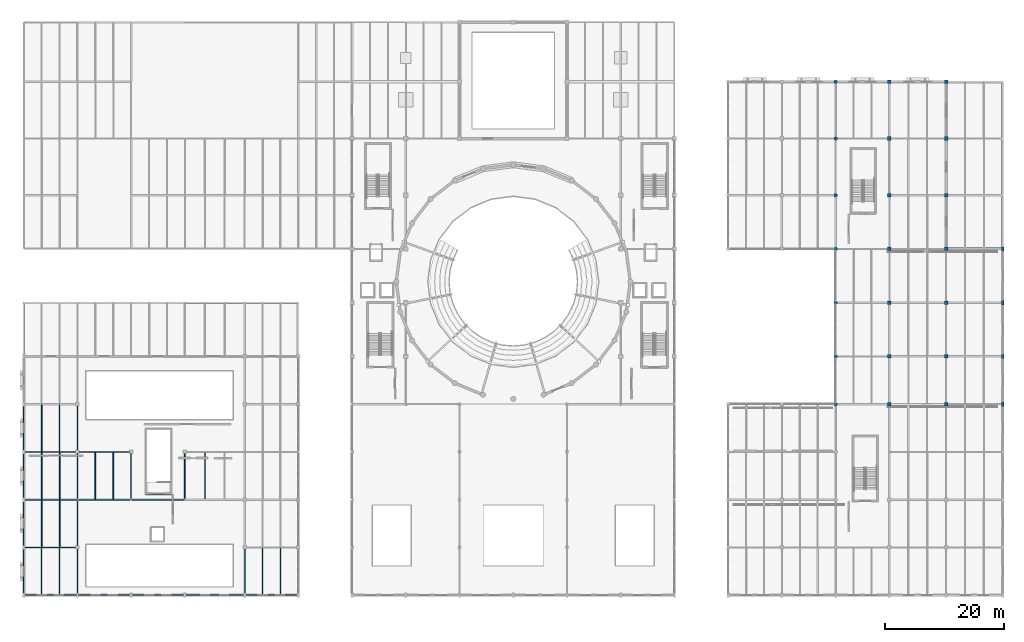
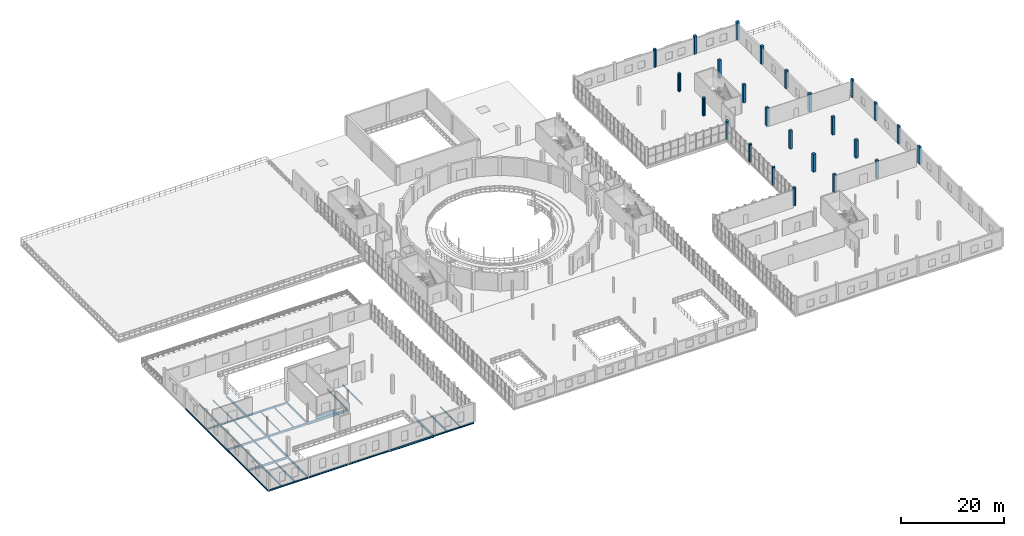
# One storey, part 13 of 73: 36 beams, 25 columns.
"""IFC4 building model written with IfcOpenShell, lengths in metres."""

from ifc_helpers import new_model, si_unit, direction, frame, origin, origin_2d, place, context, subcontext, project, spatial, rectangle, circle, i_section, extrude, material, material_profile, profile_set, type_object, element, save


model = new_model("IFC4")

# Units and contexts
model_context = context("Model", 3, precision=1e-05, world=origin(), true_north=direction((0.0, 1.0)))
body_context = subcontext(model_context, "Body", "Model", "MODEL_VIEW")
ifc_project = project(units=[si_unit("LENGTHUNIT", "METRE"), si_unit("AREAUNIT", "SQUARE_METRE"), si_unit("VOLUMEUNIT", "CUBIC_METRE"), si_unit("PLANEANGLEUNIT", "RADIAN"), si_unit("MASSUNIT", "GRAM", prefix="KILO")], contexts=[model_context])

# Site, building, storey
site_placement = place(None, origin())
site = spatial("IfcSite", under=ifc_project, at=site_placement, CompositionType="ELEMENT")
building_placement = place(site_placement, origin())
building = spatial("IfcBuilding", under=site, at=building_placement, Name="Marnock Terrace Opera House", CompositionType="ELEMENT")
storey_placement = place(building_placement, frame((0.0, 0.0, 14.699951171875)))
storey = spatial("IfcBuildingStorey", under=building, at=storey_placement, Name="L03", CompositionType="ELEMENT", Elevation=14.699951171875)

# Columns
ifc_material_1 = material(Name="Concrete N40 (f'c = 40 MPa)", Category="concrete")
ifc_material_profile_1 = material_profile(ifc_material_1, circle(Radius=0.300048828125, at=origin_2d()))
ifc_profile_set_1 = profile_set([ifc_material_profile_1], Name="Concrete N40 (f'c = 40 MPa)")
column_type_1 = type_object("IfcColumnType", Name="COL-LOGGIA-600", PredefinedType="COLUMN", material=ifc_profile_set_1)
for number, where, z_axis, x_axis, name in (
    (1, (136.0, 40.0, 0.0), (0.0, 0.0, 1.0), (1.0, 0.0, 0.0), "L03 column at (136.0, 40.0)"),
    (2, (136.0, 48.0, 0.0), (0.0, 0.0, 1.0), (1.0, 0.0, 0.0), "L03 column at (136.0, 48.0)"),
    (3, (136.0, 57.0, 0.0), (0.0, 0.0, 1.0), (1.0, 0.0, 0.0), "L03 column at (136.0, 57.0)"),
    (4, (136.0, 66.0, 0.0), (0.0, 0.0, 1.0), (1.0, 0.0, 0.0), "L03 column at (136.0, 66.0)"),
    (5, (136.0, 75.0, 0.0), (0.0, 0.0, 1.0), (1.0, 0.0, 0.0), "L03 column at (136.0, 75.0)"),
    (6, (136.0, 84.5, 0.0), (0.0, 0.0, 1.0), (1.0, 0.0, 0.0), "L03 column at (136.0, 84.5)"),
    (7, (136.0, 94.0, 0.0), (0.0, 0.0, 1.0), (1.0, 0.0, 0.0), "L03 column at (136.0, 94.0)"),
):
    element("IfcColumn", number, at=place(storey_placement, frame(where, z_axis=z_axis, x_axis=x_axis)), inside=storey, type_object=column_type_1, Name=name, PredefinedType="COLUMN", context=body_context, shape_type="SweptSolid", body=[
        extrude(circle(Radius=0.300048828125, at=origin_2d()), origin(), (0.0, 0.0, 1.0), 4.25),
    ])
ifc_material_profile_2 = material_profile(ifc_material_1, rectangle(XDim=0.39990234375, YDim=0.699951171875, at=origin_2d()))
ifc_profile_set_2 = profile_set([ifc_material_profile_2], Name="Concrete N40 (f'c = 40 MPa)")
column_type_2 = type_object("IfcColumnType", Name="COL-PIL-700", PredefinedType="PILASTER", material=ifc_profile_set_2)
for number, where, z_axis, x_axis, name in (
    (8, (164.0, 40.0, 0.0), (0.0, 0.0, 1.0), (1.0, 0.0, 0.0), "L03 column at (164.0, 40.0)"),
    (9, (164.0, 48.0, 0.0), (0.0, 0.0, 1.0), (1.0, 0.0, 0.0), "L03 column at (164.0, 48.0)"),
    (10, (164.0, 57.0, 0.0), (0.0, 0.0, 1.0), (1.0, 0.0, 0.0), "L03 column at (164.0, 57.0)"),
    (11, (164.0, 66.0, 0.0), (0.0, 0.0, 1.0), (1.0, 0.0, 0.0), "L03 column at (164.0, 66.0)"),
):
    element("IfcColumn", number, at=place(storey_placement, frame(where, z_axis=z_axis, x_axis=x_axis)), inside=storey, type_object=column_type_2, Name=name, PredefinedType="PILASTER", context=body_context, shape_type="SweptSolid", body=[
        extrude(rectangle(XDim=0.39990234375, YDim=0.699951171875, at=origin_2d()), origin(), (0.0, 0.0, 1.0), 4.25),
    ])
ifc_material_profile_3 = material_profile(ifc_material_1, rectangle(XDim=0.60009765625, YDim=0.60009765625, at=origin_2d()))
ifc_profile_set_3 = profile_set([ifc_material_profile_3], Name="Concrete N40 (f'c = 40 MPa)")
column_type_3 = type_object("IfcColumnType", Name="COL-RC600", PredefinedType="COLUMN", material=ifc_profile_set_3)
for number, where, z_axis, x_axis, name in (
    (12, (145.0, 40.0, 0.0), (0.0, 0.0, 1.0), (1.0, 0.0, 0.0), "L03 column at (145.0, 40.0)"),
    (13, (145.0, 48.0, 0.0), (0.0, 0.0, 1.0), (1.0, 0.0, 0.0), "L03 column at (145.0, 48.0)"),
    (14, (145.0, 57.0, 0.0), (0.0, 0.0, 1.0), (1.0, 0.0, 0.0), "L03 column at (145.0, 57.0)"),
    (15, (145.0, 66.0, 0.0), (0.0, 0.0, 1.0), (1.0, 0.0, 0.0), "L03 column at (145.0, 66.0)"),
    (16, (145.0, 75.0, 0.0), (0.0, 0.0, 1.0), (1.0, 0.0, 0.0), "L03 column at (145.0, 75.0)"),
    (17, (145.0, 84.5, 0.0), (0.0, 0.0, 1.0), (1.0, 0.0, 0.0), "L03 column at (145.0, 84.5)"),
    (18, (145.0, 94.0, 0.0), (0.0, 0.0, 1.0), (1.0, 0.0, 0.0), "L03 column at (145.0, 94.0)"),
    (19, (154.5, 40.0, 0.0), (0.0, 0.0, 1.0), (1.0, 0.0, 0.0), "L03 column at (154.5, 40.0)"),
    (20, (154.5, 48.0, 0.0), (0.0, 0.0, 1.0), (1.0, 0.0, 0.0), "L03 column at (154.5, 48.0)"),
    (21, (154.5, 57.0, 0.0), (0.0, 0.0, 1.0), (1.0, 0.0, 0.0), "L03 column at (154.5, 57.0)"),
    (22, (154.5, 66.0, 0.0), (0.0, 0.0, 1.0), (1.0, 0.0, 0.0), "L03 column at (154.5, 66.0)"),
    (23, (154.5, 75.0, 0.0), (0.0, 0.0, 1.0), (1.0, 0.0, 0.0), "L03 column at (154.5, 75.0)"),
    (24, (154.5, 84.5, 0.0), (0.0, 0.0, 1.0), (1.0, 0.0, 0.0), "L03 column at (154.5, 84.5)"),
    (25, (154.5, 94.0, 0.0), (0.0, 0.0, 1.0), (1.0, 0.0, 0.0), "L03 column at (154.5, 94.0)"),
):
    element("IfcColumn", number, at=place(storey_placement, frame(where, z_axis=z_axis, x_axis=x_axis)), inside=storey, type_object=column_type_3, Name=name, PredefinedType="COLUMN", context=body_context, shape_type="SweptSolid", body=[
        extrude(rectangle(XDim=0.60009765625, YDim=0.60009765625, at=origin_2d()), origin(), (0.0, 0.0, 1.0), 4.25),
    ])

# Beams
ifc_material_2 = material(Name="Steel Grade 350 (AS/NZS 3679.1)", Category="steel")
ifc_material_profile_4 = material_profile(ifc_material_2, i_section(OverallWidth=0.1708984375, OverallDepth=0.355712890625, WebThickness=0.00732421875, FlangeThickness=0.011474609375, FilletRadius=0.011474609375, at=origin_2d()))
ifc_profile_set_4 = profile_set([ifc_material_profile_4], Name="Steel Grade 350 (AS/NZS 3679.1)")
beam_type_1 = type_object("IfcBeamType", Name="BM-GIRD-360", PredefinedType="BEAM", material=ifc_profile_set_4)
beam_1_placement = place(storey_placement, frame((27.0, 24.050048828125, -0.437744140625), z_axis=(0.0, 1.0, 0.0), x_axis=(-1.0, 0.0, 0.0)))
element("IfcBeam", 26, at=beam_1_placement, inside=storey, type_object=beam_type_1, Name="L03 girder (X=27.0, 24.0..32.0)", PredefinedType="BEAM", context=body_context, shape_type="SweptSolid", body=[
    extrude(i_section(OverallWidth=0.1708984375, OverallDepth=0.355712890625, WebThickness=0.00732421875, FlangeThickness=0.011474609375, FilletRadius=0.011474609375, at=origin_2d()), origin(), (0.0, 0.0, 1.0), 7.89990234375),
])
ifc_material_profile_5 = material_profile(ifc_material_2, i_section(OverallWidth=0.177978515625, OverallDepth=0.402587890625, WebThickness=0.007568359375, FlangeThickness=0.010986328125, FilletRadius=0.011474609375, at=origin_2d()))
ifc_profile_set_5 = profile_set([ifc_material_profile_5], Name="Steel Grade 350 (AS/NZS 3679.1)")
beam_type_2 = type_object("IfcBeamType", Name="BM-GIRD-410", PredefinedType="BEAM", material=ifc_profile_set_5)
beam_2_placement = place(storey_placement, frame((0.050048828125, 32.0, -0.461181640625), z_axis=(1.0, 0.0, 0.0), x_axis=(0.0, 1.0, 0.0)))
element("IfcBeam", 27, at=beam_2_placement, inside=storey, type_object=beam_type_2, Name="L03 girder (0.0..9.0, Y=32.0)", PredefinedType="BEAM", context=body_context, shape_type="SweptSolid", body=[
    extrude(i_section(OverallWidth=0.177978515625, OverallDepth=0.402587890625, WebThickness=0.007568359375, FlangeThickness=0.010986328125, FilletRadius=0.011474609375, at=origin_2d()), origin(), (0.0, 0.0, 1.0), 8.89990234375),
])
ifc_material_profile_6 = material_profile(ifc_material_2, i_section(OverallWidth=0.19091796875, OverallDepth=0.46044921875, WebThickness=0.010009765625, FlangeThickness=0.01611328125, FilletRadius=0.011474609375, at=origin_2d()))
ifc_profile_set_6 = profile_set([ifc_material_profile_6], Name="Steel Grade 350 (AS/NZS 3679.1)")
beam_type_3 = type_object("IfcBeamType", Name="BM-GIRD-460A", PredefinedType="BEAM", material=ifc_profile_set_6)
for number, where, z_axis, x_axis, name in (
    (28, (0.050048828125, 24.0, -0.490234375), (1.0, 0.0, 0.0), (0.0, 1.0, 0.0), "L03 girder (0.0..9.0, Y=24.0)"),
    (29, (9.050048828125, 32.0, -0.490234375), (1.0, 0.0, 0.0), (0.0, 1.0, 0.0), "L03 girder (9.0..18.0, Y=32.0)"),
):
    element("IfcBeam", number, at=place(storey_placement, frame(where, z_axis=z_axis, x_axis=x_axis)), inside=storey, type_object=beam_type_3, Name=name, PredefinedType="BEAM", context=body_context, shape_type="SweptSolid", body=[
        extrude(i_section(OverallWidth=0.19091796875, OverallDepth=0.46044921875, WebThickness=0.010009765625, FlangeThickness=0.01611328125, FilletRadius=0.011474609375, at=origin_2d()), origin(), (0.0, 0.0, 1.0), 8.89990234375),
    ])
ifc_material_profile_7 = material_profile(ifc_material_2, i_section(OverallWidth=0.18994140625, OverallDepth=0.45751953125, WebThickness=0.009033203125, FlangeThickness=0.014404296875, FilletRadius=0.011474609375, at=origin_2d()))
ifc_profile_set_7 = profile_set([ifc_material_profile_7], Name="Steel Grade 350 (AS/NZS 3679.1)")
beam_type_4 = type_object("IfcBeamType", Name="BM-GIRD-460B", PredefinedType="BEAM", material=ifc_profile_set_7)
beam_3_placement = place(storey_placement, frame((18.0, 24.050048828125, -0.48876953125), z_axis=(0.0, 1.0, 0.0), x_axis=(-1.0, 0.0, 0.0)))
element("IfcBeam", 30, at=beam_3_placement, inside=storey, type_object=beam_type_4, Name="L03 girder (X=18.0, 24.0..32.0)", PredefinedType="BEAM", context=body_context, shape_type="SweptSolid", body=[
    extrude(i_section(OverallWidth=0.18994140625, OverallDepth=0.45751953125, WebThickness=0.009033203125, FlangeThickness=0.014404296875, FilletRadius=0.011474609375, at=origin_2d()), origin(), (0.0, 0.0, 1.0), 7.89990234375),
])
ifc_material_profile_8 = material_profile(ifc_material_2, i_section(OverallWidth=0.208984375, OverallDepth=0.532958984375, WebThickness=0.01025390625, FlangeThickness=0.015625, FilletRadius=0.013916015625, at=origin_2d()))
ifc_profile_set_8 = profile_set([ifc_material_profile_8], Name="Steel Grade 350 (AS/NZS 3679.1)")
beam_type_5 = type_object("IfcBeamType", Name="BM-GIRD-530A", PredefinedType="BEAM", material=ifc_profile_set_8)
for number, where, z_axis, x_axis, name in (
    (31, (0.050048828125, 16.0, -0.5263671875), (1.0, 0.0, 0.0), (0.0, 1.0, 0.0), "L03 girder (0.0..9.0, Y=16.0)"),
    (32, (9.050048828125, 24.0, -0.5263671875), (1.0, 0.0, 0.0), (0.0, 1.0, 0.0), "L03 girder (9.0..18.0, Y=24.0)"),
):
    element("IfcBeam", number, at=place(storey_placement, frame(where, z_axis=z_axis, x_axis=x_axis)), inside=storey, type_object=beam_type_5, Name=name, PredefinedType="BEAM", context=body_context, shape_type="SweptSolid", body=[
        extrude(i_section(OverallWidth=0.208984375, OverallDepth=0.532958984375, WebThickness=0.01025390625, FlangeThickness=0.015625, FilletRadius=0.013916015625, at=origin_2d()), origin(), (0.0, 0.0, 1.0), 8.89990234375),
    ])
ifc_material_profile_9 = material_profile(ifc_material_2, i_section(OverallWidth=0.208984375, OverallDepth=0.528076171875, WebThickness=0.009521484375, FlangeThickness=0.01318359375, FilletRadius=0.013916015625, at=origin_2d()))
ifc_profile_set_9 = profile_set([ifc_material_profile_9], Name="Steel Grade 350 (AS/NZS 3679.1)")
beam_type_6 = type_object("IfcBeamType", Name="BM-GIRD-530B", PredefinedType="BEAM", material=ifc_profile_set_9)
for number, where, z_axis, x_axis, name in (
    (33, (9.0, 8.050048828125, -0.52392578125), (0.0, 1.0, 0.0), (-1.0, 0.0, 0.0), "L03 girder (X=9.0, 8.0..16.0)"),
    (34, (9.0, 16.050048828125, -0.52392578125), (0.0, 1.0, 0.0), (-1.0, 0.0, 0.0), "L03 girder (X=9.0, 16.0..24.0)"),
    (35, (9.0, 24.050048828125, -0.52392578125), (0.0, 1.0, 0.0), (-1.0, 0.0, 0.0), "L03 girder (X=9.0, 24.0..32.0)"),
    (36, (9.0, 32.050048828125, -0.52392578125), (0.0, 1.0, 0.0), (-1.0, 0.0, 0.0), "L03 girder (X=9.0, 32.0..40.0)"),
):
    element("IfcBeam", number, at=place(storey_placement, frame(where, z_axis=z_axis, x_axis=x_axis)), inside=storey, type_object=beam_type_6, Name=name, PredefinedType="BEAM", context=body_context, shape_type="SweptSolid", body=[
        extrude(i_section(OverallWidth=0.208984375, OverallDepth=0.528076171875, WebThickness=0.009521484375, FlangeThickness=0.01318359375, FilletRadius=0.013916015625, at=origin_2d()), origin(), (0.0, 0.0, 1.0), 7.89990234375),
    ])
ifc_material_profile_10 = material_profile(ifc_material_2, i_section(OverallWidth=0.22802734375, OverallDepth=0.60693359375, WebThickness=0.01123046875, FlangeThickness=0.017333984375, FilletRadius=0.013916015625, at=origin_2d()))
ifc_profile_set_10 = profile_set([ifc_material_profile_10], Name="Steel Grade 350 (AS/NZS 3679.1)")
beam_type_7 = type_object("IfcBeamType", Name="BM-GIRD-610B", PredefinedType="BEAM", material=ifc_profile_set_10)
beam_4_placement = place(storey_placement, frame((18.050048828125, 24.0, -0.5634765625), z_axis=(1.0, 0.0, 0.0), x_axis=(0.0, 1.0, 0.0)))
element("IfcBeam", 37, at=beam_4_placement, inside=storey, type_object=beam_type_7, Name="L03 girder (18.0..27.0, Y=24.0)", PredefinedType="BEAM", context=body_context, shape_type="SweptSolid", body=[
    extrude(i_section(OverallWidth=0.22802734375, OverallDepth=0.60693359375, WebThickness=0.01123046875, FlangeThickness=0.017333984375, FilletRadius=0.013916015625, at=origin_2d()), origin(), (0.0, 0.0, 1.0), 8.89990234375),
])
ifc_material_profile_11 = material_profile(ifc_material_2, i_section(OverallWidth=0.22802734375, OverallDepth=0.60205078125, WebThickness=0.010498046875, FlangeThickness=0.014892578125, FilletRadius=0.013916015625, at=origin_2d()))
ifc_profile_set_11 = profile_set([ifc_material_profile_11], Name="Steel Grade 350 (AS/NZS 3679.1)")
beam_type_8 = type_object("IfcBeamType", Name="BM-GIRD-610C", PredefinedType="BEAM", material=ifc_profile_set_11)
beam_5_placement = place(storey_placement, frame((37.0, 8.050048828125, -0.56103515625), z_axis=(0.0, 1.0, 0.0), x_axis=(-1.0, 0.0, 0.0)))
element("IfcBeam", 38, at=beam_5_placement, inside=storey, type_object=beam_type_8, Name="L03 girder (X=37.0, 8.0..16.0)", PredefinedType="BEAM", context=body_context, shape_type="SweptSolid", body=[
    extrude(i_section(OverallWidth=0.22802734375, OverallDepth=0.60205078125, WebThickness=0.010498046875, FlangeThickness=0.014892578125, FilletRadius=0.013916015625, at=origin_2d()), origin(), (0.0, 0.0, 1.0), 7.89990234375),
])
ifc_material_profile_12 = material_profile(ifc_material_2, i_section(OverallWidth=0.14599609375, OverallDepth=0.256103515625, WebThickness=0.00634765625, FlangeThickness=0.010986328125, FilletRadius=0.0087890625, at=origin_2d()))
ifc_profile_set_12 = profile_set([ifc_material_profile_12], Name="Steel Grade 350 (AS/NZS 3679.1)")
beam_type_9 = type_object("IfcBeamType", Name="BM-JOIST-250", PredefinedType="JOIST", material=ifc_profile_set_12)
for number, where, z_axis, x_axis, name in (
    (39, (3.0, 32.083984375, -0.387939453125), (0.0, 1.0, 0.0), (-1.0, 0.0, 0.0), "L03 secondary joist 0.4.1"),
    (40, (6.0, 32.083984375, -0.387939453125), (0.0, 1.0, 0.0), (-1.0, 0.0, 0.0), "L03 secondary joist 0.4.2"),
):
    element("IfcBeam", number, at=place(storey_placement, frame(where, z_axis=z_axis, x_axis=x_axis)), inside=storey, type_object=beam_type_9, Name=name, PredefinedType="JOIST", context=body_context, shape_type="SweptSolid", body=[
        extrude(i_section(OverallWidth=0.14599609375, OverallDepth=0.256103515625, WebThickness=0.00634765625, FlangeThickness=0.010986328125, FilletRadius=0.0087890625, at=origin_2d()), origin(), (0.0, 0.0, 1.0), 7.806396484375),
    ])
for number, where, z_axis, x_axis, name in (
    (41, (12.0, 24.099609375, -0.387939453125), (0.0, 1.0, 0.0), (-1.0, 0.0, 0.0), "L03 secondary joist 1.3.1"),
    (42, (15.0, 24.099609375, -0.387939453125), (0.0, 1.0, 0.0), (-1.0, 0.0, 0.0), "L03 secondary joist 1.3.2"),
):
    element("IfcBeam", number, at=place(storey_placement, frame(where, z_axis=z_axis, x_axis=x_axis)), inside=storey, type_object=beam_type_9, Name=name, PredefinedType="JOIST", context=body_context, shape_type="SweptSolid", body=[
        extrude(i_section(OverallWidth=0.14599609375, OverallDepth=0.256103515625, WebThickness=0.00634765625, FlangeThickness=0.010986328125, FilletRadius=0.0087890625, at=origin_2d()), origin(), (0.0, 0.0, 1.0), 7.809814453125),
    ])
ifc_material_profile_13 = material_profile(ifc_material_2, i_section(OverallWidth=0.166015625, OverallDepth=0.30712890625, WebThickness=0.006591796875, FlangeThickness=0.01171875, FilletRadius=0.011474609375, at=origin_2d()))
ifc_profile_set_13 = profile_set([ifc_material_profile_13], Name="Steel Grade 350 (AS/NZS 3679.1)")
beam_type_10 = type_object("IfcBeamType", Name="BM-JOIST-310A", PredefinedType="JOIST", material=ifc_profile_set_13)
for number, where, z_axis, x_axis, name in (
    (43, (3.0, 16.099609375, -0.41357421875), (0.0, 1.0, 0.0), (-1.0, 0.0, 0.0), "L03 secondary joist 0.2.1"),
    (44, (6.0, 16.099609375, -0.41357421875), (0.0, 1.0, 0.0), (-1.0, 0.0, 0.0), "L03 secondary joist 0.2.2"),
):
    element("IfcBeam", number, at=place(storey_placement, frame(where, z_axis=z_axis, x_axis=x_axis)), inside=storey, type_object=beam_type_10, Name=name, PredefinedType="JOIST", context=body_context, shape_type="SweptSolid", body=[
        extrude(i_section(OverallWidth=0.166015625, OverallDepth=0.30712890625, WebThickness=0.006591796875, FlangeThickness=0.01171875, FilletRadius=0.011474609375, at=origin_2d()), origin(), (0.0, 0.0, 1.0), 7.809814453125),
    ])
ifc_material_profile_14 = material_profile(ifc_material_2, i_section(OverallWidth=0.1650390625, OverallDepth=0.3037109375, WebThickness=0.006103515625, FlangeThickness=0.01025390625, FilletRadius=0.011474609375, at=origin_2d()))
ifc_profile_set_14 = profile_set([ifc_material_profile_14], Name="Steel Grade 350 (AS/NZS 3679.1)")
beam_type_11 = type_object("IfcBeamType", Name="BM-JOIST-310B", PredefinedType="JOIST", material=ifc_profile_set_14)
for number, where, z_axis, x_axis, name in (
    (45, (3.0, 24.090576171875, -0.411865234375), (0.0, 1.0, 0.0), (-1.0, 0.0, 0.0), "L03 secondary joist 0.3.1"),
    (46, (6.0, 24.090576171875, -0.411865234375), (0.0, 1.0, 0.0), (-1.0, 0.0, 0.0), "L03 secondary joist 0.3.2"),
):
    element("IfcBeam", number, at=place(storey_placement, frame(where, z_axis=z_axis, x_axis=x_axis)), inside=storey, type_object=beam_type_11, Name=name, PredefinedType="JOIST", context=body_context, shape_type="SweptSolid", body=[
        extrude(i_section(OverallWidth=0.1650390625, OverallDepth=0.3037109375, WebThickness=0.006103515625, FlangeThickness=0.01025390625, FilletRadius=0.011474609375, at=origin_2d()), origin(), (0.0, 0.0, 1.0), 7.825439453125),
    ])
ifc_material_profile_15 = material_profile(ifc_material_2, i_section(OverallWidth=0.172119140625, OverallDepth=0.358642578125, WebThickness=0.008056640625, FlangeThickness=0.012939453125, FilletRadius=0.011474609375, at=origin_2d()))
ifc_profile_set_15 = profile_set([ifc_material_profile_15], Name="Steel Grade 350 (AS/NZS 3679.1)")
beam_type_12 = type_object("IfcBeamType", Name="BM-JOIST-360", PredefinedType="JOIST", material=ifc_profile_set_15)
for number, where, z_axis, x_axis, name in (
    (47, (3.0, 8.0810546875, -0.439208984375), (0.0, 1.0, 0.0), (-1.0, 0.0, 0.0), "L03 secondary joist 0.1.1"),
    (48, (6.0, 8.0810546875, -0.439208984375), (0.0, 1.0, 0.0), (-1.0, 0.0, 0.0), "L03 secondary joist 0.1.2"),
):
    element("IfcBeam", number, at=place(storey_placement, frame(where, z_axis=z_axis, x_axis=x_axis)), inside=storey, type_object=beam_type_12, Name=name, PredefinedType="JOIST", context=body_context, shape_type="SweptSolid", body=[
        extrude(i_section(OverallWidth=0.172119140625, OverallDepth=0.358642578125, WebThickness=0.008056640625, FlangeThickness=0.012939453125, FilletRadius=0.011474609375, at=origin_2d()), origin(), (0.0, 0.0, 1.0), 7.8193359375),
    ])
beam_6_placement = place(storey_placement, frame((30.333251953125, 24.109619140625, -0.439208984375), z_axis=(0.0, 1.0, 0.0), x_axis=(-1.0, 0.0, 0.0)))
element("IfcBeam", 49, at=beam_6_placement, inside=storey, type_object=beam_type_12, Name="L03 secondary joist 3.3.1", PredefinedType="JOIST", context=body_context, shape_type="SweptSolid", body=[
    extrude(i_section(OverallWidth=0.172119140625, OverallDepth=0.358642578125, WebThickness=0.008056640625, FlangeThickness=0.012939453125, FilletRadius=0.011474609375, at=origin_2d()), origin(), (0.0, 0.0, 1.0), 7.781494140625),
])
ifc_material_profile_16 = material_profile(ifc_material_2, i_section(OverallWidth=0.177978515625, OverallDepth=0.406494140625, WebThickness=0.0078125, FlangeThickness=0.0126953125, FilletRadius=0.011474609375, at=origin_2d()))
ifc_profile_set_16 = profile_set([ifc_material_profile_16], Name="Steel Grade 350 (AS/NZS 3679.1)")
beam_type_13 = type_object("IfcBeamType", Name="BM-JOIST-410", PredefinedType="JOIST", material=ifc_profile_set_16)
for number, where, z_axis, x_axis, name in (
    (50, (40.0, 8.0810546875, -0.463134765625), (0.0, 1.0, 0.0), (-1.0, 0.0, 0.0), "L03 secondary joist 4.1.1"),
    (51, (43.0, 8.0810546875, -0.463134765625), (0.0, 1.0, 0.0), (-1.0, 0.0, 0.0), "L03 secondary joist 4.1.2"),
):
    element("IfcBeam", number, at=place(storey_placement, frame(where, z_axis=z_axis, x_axis=x_axis)), inside=storey, type_object=beam_type_13, Name=name, PredefinedType="JOIST", context=body_context, shape_type="SweptSolid", body=[
        extrude(i_section(OverallWidth=0.177978515625, OverallDepth=0.406494140625, WebThickness=0.0078125, FlangeThickness=0.0126953125, FilletRadius=0.011474609375, at=origin_2d()), origin(), (0.0, 0.0, 1.0), 7.8349609375),
    ])
ifc_material_profile_17 = material_profile(ifc_material_1, rectangle(XDim=0.39990234375, YDim=0.64990234375, at=origin_2d()))
ifc_profile_set_17 = profile_set([ifc_material_profile_17], Name="Concrete N40 (f'c = 40 MPa)")
beam_type_14 = type_object("IfcBeamType", Name="BM-LINT-RC400", PredefinedType="LINTEL", material=ifc_profile_set_17)
beam_7_placement = place(storey_placement, frame((20.43994140625, 25.0, -0.60986328125), z_axis=(1.0, 0.0, 0.0), x_axis=(0.0, 1.0, 0.0)))
element("IfcBeam", 52, at=beam_7_placement, inside=storey, type_object=beam_type_14, Name="L02 Core C5 coupling lintel", PredefinedType="LINTEL", context=body_context, shape_type="SweptSolid", body=[
    extrude(rectangle(XDim=0.39990234375, YDim=0.64990234375, at=origin_2d()), origin(), (0.0, 0.0, 1.0), 4.280029296875),
])
ifc_material_profile_18 = material_profile(ifc_material_2, i_section(OverallWidth=0.172119140625, OverallDepth=0.358642578125, WebThickness=0.008056640625, FlangeThickness=0.012939453125, FilletRadius=0.011474609375, at=origin_2d()))
ifc_profile_set_18 = profile_set([ifc_material_profile_18], Name="Steel Grade 350 (AS/NZS 3679.1)")
beam_type_15 = type_object("IfcBeamType", Name="BM-SPAN-360", PredefinedType="SPANDREL", material=ifc_profile_set_18)
for number, where, z_axis, x_axis, name in (
    (53, (0.050048828125, 8.0, -0.439208984375), (1.0, 0.0, 0.0), (0.0, 1.0, 0.0), "L03 girder (0.0..9.0, Y=8.0)"),
    (54, (9.050048828125, 8.0, -0.439208984375), (1.0, 0.0, 0.0), (0.0, 1.0, 0.0), "L03 girder (9.0..18.0, Y=8.0)"),
    (55, (18.050048828125, 8.0, -0.439208984375), (1.0, 0.0, 0.0), (0.0, 1.0, 0.0), "L03 girder (18.0..27.0, Y=8.0)"),
    (56, (37.050048828125, 8.0, -0.439208984375), (1.0, 0.0, 0.0), (0.0, 1.0, 0.0), "L03 girder (37.0..46.0, Y=8.0)"),
):
    element("IfcBeam", number, at=place(storey_placement, frame(where, z_axis=z_axis, x_axis=x_axis)), inside=storey, type_object=beam_type_15, Name=name, PredefinedType="SPANDREL", context=body_context, shape_type="SweptSolid", body=[
        extrude(i_section(OverallWidth=0.172119140625, OverallDepth=0.358642578125, WebThickness=0.008056640625, FlangeThickness=0.012939453125, FilletRadius=0.011474609375, at=origin_2d()), origin(), (0.0, 0.0, 1.0), 8.89990234375),
    ])
for number, where, z_axis, x_axis, name in (
    (57, (0.0, 8.050048828125, -0.439208984375), (0.0, 1.0, 0.0), (-1.0, 0.0, 0.0), "L03 girder (X=0.0, 8.0..16.0)"),
    (58, (0.0, 16.050048828125, -0.439208984375), (0.0, 1.0, 0.0), (-1.0, 0.0, 0.0), "L03 girder (X=0.0, 16.0..24.0)"),
    (59, (0.0, 24.050048828125, -0.439208984375), (0.0, 1.0, 0.0), (-1.0, 0.0, 0.0), "L03 girder (X=0.0, 24.0..32.0)"),
    (60, (0.0, 32.050048828125, -0.439208984375), (0.0, 1.0, 0.0), (-1.0, 0.0, 0.0), "L03 girder (X=0.0, 32.0..40.0)"),
):
    element("IfcBeam", number, at=place(storey_placement, frame(where, z_axis=z_axis, x_axis=x_axis)), inside=storey, type_object=beam_type_15, Name=name, PredefinedType="SPANDREL", context=body_context, shape_type="SweptSolid", body=[
        extrude(i_section(OverallWidth=0.172119140625, OverallDepth=0.358642578125, WebThickness=0.008056640625, FlangeThickness=0.012939453125, FilletRadius=0.011474609375, at=origin_2d()), origin(), (0.0, 0.0, 1.0), 7.89990234375),
    ])
ifc_material_profile_19 = material_profile(ifc_material_2, i_section(OverallWidth=0.19091796875, OverallDepth=0.46044921875, WebThickness=0.010009765625, FlangeThickness=0.01611328125, FilletRadius=0.011474609375, at=origin_2d()))
ifc_profile_set_19 = profile_set([ifc_material_profile_19], Name="Steel Grade 350 (AS/NZS 3679.1)")
beam_type_16 = type_object("IfcBeamType", Name="BM-SPAN-460", PredefinedType="SPANDREL", material=ifc_profile_set_19)
beam_8_placement = place(storey_placement, frame((27.050048828125, 8.0, -0.490234375), z_axis=(1.0, 0.0, 0.0), x_axis=(0.0, 1.0, 0.0)))
element("IfcBeam", 61, at=beam_8_placement, inside=storey, type_object=beam_type_16, Name="L03 girder (27.0..37.0, Y=8.0)", PredefinedType="SPANDREL", context=body_context, shape_type="SweptSolid", body=[
    extrude(i_section(OverallWidth=0.19091796875, OverallDepth=0.46044921875, WebThickness=0.010009765625, FlangeThickness=0.01611328125, FilletRadius=0.011474609375, at=origin_2d()), origin(), (0.0, 0.0, 1.0), 9.89990234375),
])

save(model, "model.ifc")
